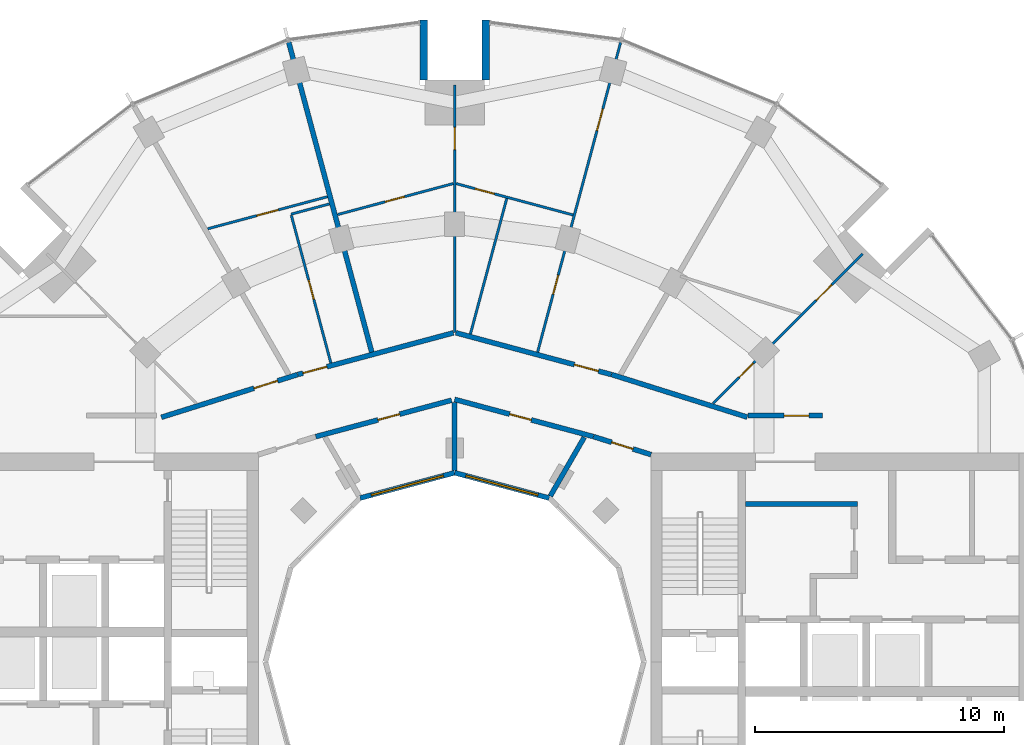
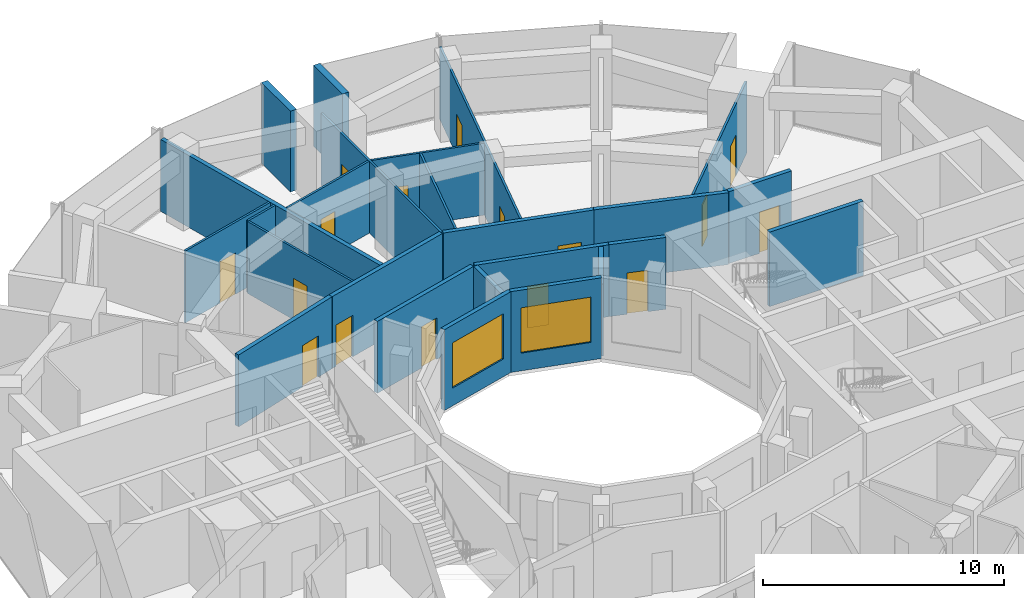
# One storey, part 12 of 15: 25 walls, 16 doors, 2 windows, 18 openings.
"""IFC4 building model written with IfcOpenShell, lengths in metres."""

from ifc_helpers import new_model, si_unit, direction, frame, frame_2d, origin, place, context, subcontext, project, spatial, rectangle, extrude, material, layer, layer_set, type_object, element, fill, save


model = new_model("IFC4")

# Units and contexts
model_context = context("Model", 3, precision=1e-05, world=origin(), true_north=direction((0.0, 1.0)))
body_context = subcontext(model_context, "Body", "Model", "MODEL_VIEW")
ifc_project = project(units=[si_unit("LENGTHUNIT", "METRE"), si_unit("AREAUNIT", "SQUARE_METRE"), si_unit("VOLUMEUNIT", "CUBIC_METRE"), si_unit("PLANEANGLEUNIT", "RADIAN"), si_unit("MASSUNIT", "GRAM", prefix="KILO")], contexts=[model_context])

# Site, building, storey
site_placement = place(None, origin())
site = spatial("IfcSite", under=ifc_project, at=site_placement, CompositionType="ELEMENT")
building_placement = place(site_placement, origin())
building = spatial("IfcBuilding", under=site, at=building_placement, Name="Torre Brocal", CompositionType="ELEMENT")
storey_placement = place(building_placement, frame((0.0, 0.0, 182.300048828125)))
storey = spatial("IfcBuildingStorey", under=building, at=storey_placement, Name="L42", CompositionType="ELEMENT", Elevation=182.300048828125)

# Walls
ifc_material_1 = material(Name="Concrete C70", Category="concrete")
ifc_layer_1 = layer(ifc_material_1, 0.199951171875)
ifc_layer_set_1 = layer_set([ifc_layer_1], Name="Concrete C70")
wall_type_1 = type_object("IfcWallType", Name="CORE WALL 200 C70", PredefinedType="SHEAR", material=ifc_layer_set_1)
wall_1_placement = place(storey_placement, frame((91.699951171875, 81.35009765625, 0.0), z_axis=(0.0, 0.0, 1.0), x_axis=(1.0, 0.0, 0.0)))
element("IfcWall", 1, at=wall_1_placement, inside=storey, type_object=wall_type_1, Name="Wall CW200-70", PredefinedType="SHEAR", context=body_context, shape_type="SweptSolid", body=[
    extrude(rectangle(XDim=4.5, YDim=0.199951171875, at=frame_2d((2.25, 0.0))), origin(), (0.0, 0.0, 1.0), 3.780029296875),
])
ifc_material_2 = material(Name="Concrete C70", Category="concrete")
ifc_layer_2 = layer(ifc_material_2, 0.300048828125)
ifc_layer_set_2 = layer_set([ifc_layer_2], Name="Concrete C70")
wall_type_2 = type_object("IfcWallType", Name="NOTCH RETURN WALL 300 C70", PredefinedType="NOTDEFINED", material=ifc_layer_set_2)
for number, where, z_axis, x_axis, name in (
    (2, (81.25, 98.39990234375, 0.0), (0.0, 0.0, 1.0), (0.0, 1.0, 0.0), "NOTCH RETURN WALL"),
    (3, (78.75, 98.39990234375, 0.0), (0.0, 0.0, 1.0), (0.0, 1.0, 0.0), "NOTCH RETURN WALL"),
):
    element("IfcWall", number, at=place(storey_placement, frame(where, z_axis=z_axis, x_axis=x_axis)), inside=storey, type_object=wall_type_2, Name=name, PredefinedType="NOTDEFINED", context=body_context, shape_type="SweptSolid", body=[
        extrude(rectangle(XDim=2.415771484375, YDim=0.300048828125, at=frame_2d((1.2080078125, 0.0))), origin(), (0.0, 0.0, 1.0), 4.099853515625),
    ])

# Wall, opening, door
ifc_material_3 = material(Name="Gypsum board", Category="Gypsum")
ifc_layer_3 = layer(ifc_material_3, 0.10009765625)
ifc_layer_set_3 = layer_set([ifc_layer_3], Name="Gypsum board")
wall_type_3 = type_object("IfcWallType", Name="PARTITION 100", PredefinedType="PARTITIONING", material=ifc_layer_set_3)
wall_2_placement = place(storey_placement, frame((70.0673828125, 92.41748046875, 0.0), z_axis=(0.0, 0.0, 1.0), x_axis=(0.965982566978, 0.258607193045, 0.0)))
wall_2 = element("IfcWall", 4, at=wall_2_placement, inside=storey, type_object=wall_type_3, Name="ROOM PARTITION", PredefinedType="PARTITIONING", context=body_context, shape_type="SweptSolid", body=[
    extrude(rectangle(XDim=4.986572265625, YDim=0.10009765625, at=frame_2d((2.4931640625, 0.0))), origin(), (0.0, 0.0, 1.0), 3.64990234375),
])
opening_1_placement = place(wall_2_placement, frame((2.038330078125, 0.0, 0.0)))
opening_1 = element("IfcOpeningElement", 5, at=opening_1_placement, cuts=wall_2, Name="Opening R03-D10", PredefinedType="OPENING", context=body_context, shape_type="SweptSolid", body=[
    extrude(rectangle(XDim=0.89990234375, YDim=2.10009765625, at=frame_2d((0.449951171875, 1.050048828125))), frame((0.0, 0.06005859375, 0.0), z_axis=(0.0, -1.0, 0.0), x_axis=(1.0, 0.0, 0.0)), (0.0, 0.0, 1.0), 0.1201171875),
])
ifc_material_4 = material(Name="Timber", Category="wood")
door_type_1 = type_object("IfcDoorType", Name="ROOM DOOR 900X2100", OperationType="SINGLE_SWING_LEFT", PredefinedType="DOOR", material=ifc_material_4)
door_1_placement = place(opening_1_placement, frame((0.89990234375, 0.0, 0.0), z_axis=(0.0, 0.0, 1.0), x_axis=(-1.0, 0.0, 0.0)))
door_1 = element("IfcDoor", 6, at=door_1_placement, inside=storey, type_object=door_type_1, Name="R03-D10", OperationType="SINGLE_SWING_LEFT", OverallHeight=2.10009765625, OverallWidth=0.89990234375, PredefinedType="DOOR", context=body_context, shape_type="SweptSolid", body=[
    extrude(rectangle(XDim=0.89990234375, YDim=2.10009765625, at=frame_2d((0.449951171875, 1.050048828125))), frame((0.0, 0.02490234375, 0.0), z_axis=(0.0, -1.0, 0.0), x_axis=(1.0, 0.0, 0.0)), (0.0, 0.0, 1.0), 0.050048828125),
])
fill(opening_1, door_1)

wall_3_placement = place(storey_placement, frame((73.429931640625, 92.955810546875, 0.0), z_axis=(0.0, 0.0, 1.0), x_axis=(0.258707643808, -0.965955669291, 0.0)))
wall_3 = element("IfcWall", 7, at=wall_3_placement, inside=storey, type_object=wall_type_3, Name="BATHROOM WALL", PredefinedType="PARTITIONING", context=body_context, shape_type="SweptSolid", body=[
    extrude(rectangle(XDim=6.150146484375, YDim=0.10009765625, at=frame_2d((3.0751953125, 0.0))), origin(), (0.0, 0.0, 1.0), 3.64990234375),
])
opening_2_placement = place(wall_3_placement, frame((2.7001953125, 0.0, 0.0)))
opening_2 = element("IfcOpeningElement", 8, at=opening_2_placement, cuts=wall_3, Name="Opening R03-D12", PredefinedType="OPENING", context=body_context, shape_type="SweptSolid", body=[
    extrude(rectangle(XDim=0.800048828125, YDim=2.10009765625, at=frame_2d((0.39990234375, 1.050048828125))), frame((0.0, 0.06005859375, 0.0), z_axis=(0.0, -1.0, 0.0), x_axis=(1.0, 0.0, 0.0)), (0.0, 0.0, 1.0), 0.1201171875),
])
ifc_material_5 = material(Name="Timber", Category="wood")
door_type_2 = type_object("IfcDoorType", Name="BATHROOM DOOR 800X2100", OperationType="SINGLE_SWING_LEFT", PredefinedType="DOOR", material=ifc_material_5)
door_2_placement = place(opening_2_placement, origin())
door_2 = element("IfcDoor", 9, at=door_2_placement, inside=storey, type_object=door_type_2, Name="R03-D12", OperationType="SINGLE_SWING_LEFT", OverallHeight=2.10009765625, OverallWidth=0.800048828125, PredefinedType="DOOR", context=body_context, shape_type="SweptSolid", body=[
    extrude(rectangle(XDim=0.800048828125, YDim=2.10009765625, at=frame_2d((0.39990234375, 1.050048828125))), frame((0.0, 0.02490234375, 0.0), z_axis=(0.0, -1.0, 0.0), x_axis=(1.0, 0.0, 0.0)), (0.0, 0.0, 1.0), 0.050048828125),
])
fill(opening_2, door_2)

# Wall
wall_4_placement = place(storey_placement, frame((73.4169921875, 93.00390625, 0.0), z_axis=(0.0, 0.0, 1.0), x_axis=(0.966062421459, 0.258308725839, 0.0)))
element("IfcWall", 10, at=wall_4_placement, inside=storey, type_object=wall_type_3, Name="BATHROOM WALL", PredefinedType="PARTITIONING", context=body_context, shape_type="SweptSolid", body=[
    extrude(rectangle(XDim=1.59912109375, YDim=0.10009765625, at=frame_2d((0.799560546875, 0.0))), origin(), (0.0, 0.0, 1.0), 3.64990234375),
])

# Wall, opening, door
wall_5_placement = place(storey_placement, frame((75.294677734375, 92.988525390625, 0.0), z_axis=(0.0, 0.0, 1.0), x_axis=(0.965829517501, 0.259178207271, 0.0)))
wall_5 = element("IfcWall", 11, at=wall_5_placement, inside=storey, type_object=wall_type_3, Name="BATHROOM WALL", PredefinedType="PARTITIONING", context=body_context, shape_type="SweptSolid", body=[
    extrude(rectangle(XDim=4.8115234375, YDim=0.10009765625, at=frame_2d((2.40576171875, 0.0))), origin(), (0.0, 0.0, 1.0), 3.64990234375),
])
opening_3_placement = place(wall_5_placement, frame((1.980712890625, 0.0, 0.0)))
opening_3 = element("IfcOpeningElement", 12, at=opening_3_placement, cuts=wall_5, Name="Opening R03-D09", PredefinedType="OPENING", context=body_context, shape_type="SweptSolid", body=[
    extrude(rectangle(XDim=0.800048828125, YDim=2.10009765625, at=frame_2d((0.39990234375, 1.050048828125))), frame((0.0, 0.06005859375, 0.0), z_axis=(0.0, -1.0, 0.0), x_axis=(1.0, 0.0, 0.0)), (0.0, 0.0, 1.0), 0.1201171875),
])
door_3_placement = place(opening_3_placement, frame((0.800048828125, 0.0, 0.0), z_axis=(0.0, 0.0, 1.0), x_axis=(-1.0, 0.0, 0.0)))
door_3 = element("IfcDoor", 13, at=door_3_placement, inside=storey, type_object=door_type_2, Name="R03-D09", OperationType="SINGLE_SWING_LEFT", OverallHeight=2.10009765625, OverallWidth=0.800048828125, PredefinedType="DOOR", context=body_context, shape_type="SweptSolid", body=[
    extrude(rectangle(XDim=0.800048828125, YDim=2.10009765625, at=frame_2d((0.39990234375, 1.050048828125))), frame((0.0, 0.02490234375, 0.0), z_axis=(0.0, -1.0, 0.0), x_axis=(1.0, 0.0, 0.0)), (0.0, 0.0, 1.0), 0.050048828125),
])
fill(opening_3, door_3)

wall_6_placement = place(storey_placement, frame((80.0, 88.24609375, 0.0), z_axis=(0.0, 0.0, 1.0), x_axis=(0.0, 1.0, 0.0)))
wall_6 = element("IfcWall", 14, at=wall_6_placement, inside=storey, type_object=wall_type_3, Name="BATHROOM WALL", PredefinedType="PARTITIONING", context=body_context, shape_type="SweptSolid", body=[
    extrude(rectangle(XDim=9.953857421875, YDim=0.10009765625, at=frame_2d((4.97705078125, 0.0))), origin(), (0.0, 0.0, 1.0), 3.64990234375),
])
opening_4_placement = place(wall_6_placement, frame((7.3544921875, 0.0, 0.0)))
opening_4 = element("IfcOpeningElement", 15, at=opening_4_placement, cuts=wall_6, Name="Opening R03-D08", PredefinedType="OPENING", context=body_context, shape_type="SweptSolid", body=[
    extrude(rectangle(XDim=0.89990234375, YDim=2.10009765625, at=frame_2d((0.449951171875, 1.050048828125))), frame((0.0, 0.06005859375, 0.0), z_axis=(0.0, -1.0, 0.0), x_axis=(1.0, 0.0, 0.0)), (0.0, 0.0, 1.0), 0.1201171875),
])
door_4_placement = place(opening_4_placement, origin())
door_4 = element("IfcDoor", 16, at=door_4_placement, inside=storey, type_object=door_type_1, Name="R03-D08", OperationType="SINGLE_SWING_LEFT", OverallHeight=2.10009765625, OverallWidth=0.89990234375, PredefinedType="DOOR", context=body_context, shape_type="SweptSolid", body=[
    extrude(rectangle(XDim=0.89990234375, YDim=2.10009765625, at=frame_2d((0.449951171875, 1.050048828125))), frame((0.0, 0.02490234375, 0.0), z_axis=(0.0, -1.0, 0.0), x_axis=(1.0, 0.0, 0.0)), (0.0, 0.0, 1.0), 0.050048828125),
])
fill(opening_4, door_4)

wall_7_placement = place(storey_placement, frame((80.057861328125, 94.2353515625, 0.0), z_axis=(0.0, 0.0, 1.0), x_axis=(0.965831212389, -0.259171891173, 0.0)))
wall_7 = element("IfcWall", 17, at=wall_7_placement, inside=storey, type_object=wall_type_3, Name="BATHROOM WALL", PredefinedType="PARTITIONING", context=body_context, shape_type="SweptSolid", body=[
    extrude(rectangle(XDim=4.8720703125, YDim=0.10009765625, at=frame_2d((2.43603515625, 0.0))), origin(), (0.0, 0.0, 1.0), 3.64990234375),
])
opening_5_placement = place(wall_7_placement, frame((0.79150390625, 0.0, 0.0)))
opening_5 = element("IfcOpeningElement", 18, at=opening_5_placement, cuts=wall_7, Name="Opening R03-D06", PredefinedType="OPENING", context=body_context, shape_type="SweptSolid", body=[
    extrude(rectangle(XDim=0.800048828125, YDim=2.10009765625, at=frame_2d((0.39990234375, 1.050048828125))), frame((0.0, 0.06005859375, 0.0), z_axis=(0.0, -1.0, 0.0), x_axis=(1.0, 0.0, 0.0)), (0.0, 0.0, 1.0), 0.1201171875),
])
door_5_placement = place(opening_5_placement, frame((0.800048828125, 0.0, 0.0), z_axis=(0.0, 0.0, 1.0), x_axis=(-1.0, 0.0, 0.0)))
door_5 = element("IfcDoor", 19, at=door_5_placement, inside=storey, type_object=door_type_2, Name="R03-D06", OperationType="SINGLE_SWING_LEFT", OverallHeight=2.10009765625, OverallWidth=0.800048828125, PredefinedType="DOOR", context=body_context, shape_type="SweptSolid", body=[
    extrude(rectangle(XDim=0.800048828125, YDim=2.10009765625, at=frame_2d((0.39990234375, 1.050048828125))), frame((0.0, 0.02490234375, 0.0), z_axis=(0.0, -1.0, 0.0), x_axis=(1.0, 0.0, 0.0)), (0.0, 0.0, 1.0), 0.050048828125),
])
fill(opening_5, door_5)

# Wall
wall_8_placement = place(storey_placement, frame((80.633056640625, 88.179931640625, 0.0), z_axis=(0.0, 0.0, 1.0), x_axis=(0.25898304477, 0.965881867788, 0.0)))
element("IfcWall", 20, at=wall_8_placement, inside=storey, type_object=wall_type_3, Name="BATHROOM WALL", PredefinedType="PARTITIONING", context=body_context, shape_type="SweptSolid", body=[
    extrude(rectangle(XDim=5.649658203125, YDim=0.10009765625, at=frame_2d((2.82470703125, 0.0))), origin(), (0.0, 0.0, 1.0), 3.64990234375),
])

# Wall, openings, doors
wall_9_placement = place(storey_placement, frame((83.3369140625, 87.455078125, 0.0), z_axis=(0.0, 0.0, 1.0), x_axis=(0.258861232071, 0.965914521337, 0.0)))
wall_9 = element("IfcWall", 21, at=wall_9_placement, inside=storey, type_object=wall_type_3, Name="BATHROOM WALL", PredefinedType="PARTITIONING", context=body_context, shape_type="SweptSolid", body=[
    extrude(rectangle(XDim=12.904052734375, YDim=0.10009765625, at=frame_2d((6.4521484375, 0.0))), origin(), (0.0, 0.0, 1.0), 3.64990234375),
])
opening_6_placement = place(wall_9_placement, frame((9.2265625, 0.0, 0.0)))
opening_6 = element("IfcOpeningElement", 22, at=opening_6_placement, cuts=wall_9, Name="Opening R03-D05", PredefinedType="OPENING", context=body_context, shape_type="SweptSolid", body=[
    extrude(rectangle(XDim=0.89990234375, YDim=2.10009765625, at=frame_2d((0.449951171875, 1.050048828125))), frame((0.0, 0.06005859375, 0.0), z_axis=(0.0, -1.0, 0.0), x_axis=(1.0, 0.0, 0.0)), (0.0, 0.0, 1.0), 0.1201171875),
])
opening_7_placement = place(wall_9_placement, frame((2.4091796875, 0.0, 0.0)))
opening_7 = element("IfcOpeningElement", 23, at=opening_7_placement, cuts=wall_9, Name="Opening R03-D07", PredefinedType="OPENING", context=body_context, shape_type="SweptSolid", body=[
    extrude(rectangle(XDim=0.800048828125, YDim=2.10009765625, at=frame_2d((0.39990234375, 1.050048828125))), frame((0.0, 0.06005859375, 0.0), z_axis=(0.0, -1.0, 0.0), x_axis=(1.0, 0.0, 0.0)), (0.0, 0.0, 1.0), 0.1201171875),
])
door_6_placement = place(opening_7_placement, origin())
door_6 = element("IfcDoor", 24, at=door_6_placement, inside=storey, type_object=door_type_2, Name="R03-D07", OperationType="SINGLE_SWING_RIGHT", OverallHeight=2.10009765625, OverallWidth=0.800048828125, PredefinedType="DOOR", context=body_context, shape_type="SweptSolid", body=[
    extrude(rectangle(XDim=0.800048828125, YDim=2.10009765625, at=frame_2d((0.39990234375, 1.050048828125))), frame((0.0, 0.02490234375, 0.0), z_axis=(0.0, -1.0, 0.0), x_axis=(1.0, 0.0, 0.0)), (0.0, 0.0, 1.0), 0.050048828125),
])
fill(opening_7, door_6)
door_7_placement = place(opening_6_placement, frame((0.89990234375, 0.0, 0.0), z_axis=(0.0, 0.0, 1.0), x_axis=(-1.0, 0.0, 0.0)))
door_7 = element("IfcDoor", 25, at=door_7_placement, inside=storey, type_object=door_type_1, Name="R03-D05", OperationType="SINGLE_SWING_LEFT", OverallHeight=2.10009765625, OverallWidth=0.89990234375, PredefinedType="DOOR", context=body_context, shape_type="SweptSolid", body=[
    extrude(rectangle(XDim=0.89990234375, YDim=2.10009765625, at=frame_2d((0.449951171875, 1.050048828125))), frame((0.0, 0.02490234375, 0.0), z_axis=(0.0, -1.0, 0.0), x_axis=(1.0, 0.0, 0.0)), (0.0, 0.0, 1.0), 0.050048828125),
])
fill(opening_6, door_7)

wall_10_placement = place(storey_placement, frame((90.39697265625, 85.392822265625, 0.0), z_axis=(0.0, 0.0, 1.0), x_axis=(0.707264750546, 0.706948776529, 0.0)))
wall_10 = element("IfcWall", 26, at=wall_10_placement, inside=storey, type_object=wall_type_3, Name="BATHROOM WALL", PredefinedType="PARTITIONING", context=body_context, shape_type="SweptSolid", body=[
    extrude(rectangle(XDim=8.499267578125, YDim=0.10009765625, at=frame_2d((4.24951171875, 0.0))), origin(), (0.0, 0.0, 1.0), 3.64990234375),
])
opening_8_placement = place(wall_10_placement, frame((5.856689453125, 0.0, 0.0)))
opening_8 = element("IfcOpeningElement", 27, at=opening_8_placement, cuts=wall_10, Name="Opening R03-D02", PredefinedType="OPENING", context=body_context, shape_type="SweptSolid", body=[
    extrude(rectangle(XDim=0.89990234375, YDim=2.10009765625, at=frame_2d((0.449951171875, 1.050048828125))), frame((0.0, 0.06005859375, 0.0), z_axis=(0.0, -1.0, 0.0), x_axis=(1.0, 0.0, 0.0)), (0.0, 0.0, 1.0), 0.1201171875),
])
opening_9_placement = place(wall_10_placement, frame((1.4755859375, 0.0, 0.0)))
opening_9 = element("IfcOpeningElement", 28, at=opening_9_placement, cuts=wall_10, Name="Opening R03-D03", PredefinedType="OPENING", context=body_context, shape_type="SweptSolid", body=[
    extrude(rectangle(XDim=0.800048828125, YDim=2.10009765625, at=frame_2d((0.39990234375, 1.050048828125))), frame((0.0, 0.06005859375, 0.0), z_axis=(0.0, -1.0, 0.0), x_axis=(1.0, 0.0, 0.0)), (0.0, 0.0, 1.0), 0.1201171875),
])
door_8_placement = place(opening_9_placement, origin())
door_8 = element("IfcDoor", 29, at=door_8_placement, inside=storey, type_object=door_type_2, Name="R03-D03", OperationType="SINGLE_SWING_LEFT", OverallHeight=2.10009765625, OverallWidth=0.800048828125, PredefinedType="DOOR", context=body_context, shape_type="SweptSolid", body=[
    extrude(rectangle(XDim=0.800048828125, YDim=2.10009765625, at=frame_2d((0.39990234375, 1.050048828125))), frame((0.0, 0.02490234375, 0.0), z_axis=(0.0, -1.0, 0.0), x_axis=(1.0, 0.0, 0.0)), (0.0, 0.0, 1.0), 0.050048828125),
])
fill(opening_9, door_8)
door_9_placement = place(opening_8_placement, frame((0.89990234375, 0.0, 0.0), z_axis=(0.0, 0.0, 1.0), x_axis=(-1.0, 0.0, 0.0)))
door_9 = element("IfcDoor", 30, at=door_9_placement, inside=storey, type_object=door_type_1, Name="R03-D02", OperationType="SINGLE_SWING_LEFT", OverallHeight=2.10009765625, OverallWidth=0.89990234375, PredefinedType="DOOR", context=body_context, shape_type="SweptSolid", body=[
    extrude(rectangle(XDim=0.89990234375, YDim=2.10009765625, at=frame_2d((0.449951171875, 1.050048828125))), frame((0.0, 0.02490234375, 0.0), z_axis=(0.0, -1.0, 0.0), x_axis=(1.0, 0.0, 0.0)), (0.0, 0.0, 1.0), 0.050048828125),
])
fill(opening_8, door_9)

# Wall, opening, door
ifc_material_6 = material(Name="Gypsum board", Category="Gypsum")
ifc_layer_4 = layer(ifc_material_6, 0.199951171875)
ifc_layer_set_4 = layer_set([ifc_layer_4], Name="Gypsum board")
wall_type_4 = type_object("IfcWallType", Name="PARTITION 200 EI60", PredefinedType="PARTITIONING", material=ifc_layer_set_4)
wall_11_placement = place(storey_placement, frame((68.199951171875, 84.83349609375, 0.0), z_axis=(0.0, 0.0, 1.0), x_axis=(0.954204109499, 0.299156342762, 0.0)))
wall_11 = element("IfcWall", 31, at=wall_11_placement, inside=storey, type_object=wall_type_4, Name="FLAT ENTRANCE WALL", PredefinedType="PARTITIONING", context=body_context, shape_type="SweptSolid", body=[
    extrude(rectangle(XDim=5.740478515625, YDim=0.199951171875, at=frame_2d((2.8701171875, 0.0))), origin(), (0.0, 0.0, 1.0), 3.64990234375),
])
opening_10_placement = place(wall_11_placement, frame((3.90283203125, 0.0, 0.0)))
opening_10 = element("IfcOpeningElement", 32, at=opening_10_placement, cuts=wall_11, Name="Opening R03-D13", PredefinedType="OPENING", context=body_context, shape_type="SweptSolid", body=[
    extrude(rectangle(XDim=1.0, YDim=2.10009765625, at=frame_2d((0.5, 1.050048828125))), frame((0.0, 0.10986328125, 0.0), z_axis=(0.0, -1.0, 0.0), x_axis=(1.0, 0.0, 0.0)), (0.0, 0.0, 1.0), 0.219970703125),
])
ifc_material_7 = material(Name="Timber", Category="wood")
door_type_3 = type_object("IfcDoorType", Name="FLAT ENTRY DOOR FD30S 1000X2100", OperationType="SINGLE_SWING_RIGHT", PredefinedType="DOOR", material=ifc_material_7)
door_10_placement = place(opening_10_placement, origin())
door_10 = element("IfcDoor", 33, at=door_10_placement, inside=storey, type_object=door_type_3, Name="R03-D13", OperationType="SINGLE_SWING_RIGHT", OverallHeight=2.10009765625, OverallWidth=1.0, PredefinedType="DOOR", context=body_context, shape_type="SweptSolid", body=[
    extrude(rectangle(XDim=1.0, YDim=2.10009765625, at=frame_2d((0.5, 1.050048828125))), frame((0.0, 0.02490234375, 0.0), z_axis=(0.0, -1.0, 0.0), x_axis=(1.0, 0.0, 0.0)), (0.0, 0.0, 1.0), 0.050048828125),
])
fill(opening_10, door_10)

# Wall
wall_12_placement = place(storey_placement, frame((73.326171875, 99.920166015625, 0.0), z_axis=(0.0, 0.0, 1.0), x_axis=(0.258652861824, -0.965970339643, 0.0)))
element("IfcWall", 34, at=wall_12_placement, inside=storey, type_object=wall_type_4, Name="BATHROOM WALL", PredefinedType="PARTITIONING", context=body_context, shape_type="SweptSolid", body=[
    extrude(rectangle(XDim=12.904052734375, YDim=0.199951171875, at=frame_2d((6.4521484375, 0.0))), origin(), (0.0, 0.0, 1.0), 3.64990234375),
])

# Wall, opening, door
wall_13_placement = place(storey_placement, frame((73.68701171875, 86.55419921875, 0.0), z_axis=(0.0, 0.0, 1.0), x_axis=(0.965992724769, 0.258569247387, 0.0)))
wall_13 = element("IfcWall", 35, at=wall_13_placement, inside=storey, type_object=wall_type_4, Name="FLAT ENTRANCE WALL", PredefinedType="PARTITIONING", context=body_context, shape_type="SweptSolid", body=[
    extrude(rectangle(XDim=6.485595703125, YDim=0.199951171875, at=frame_2d((3.24267578125, 0.0))), origin(), (0.0, 0.0, 1.0), 3.64990234375),
])
opening_11_placement = place(wall_13_placement, frame((0.2138671875, 0.0, 0.0)))
opening_11 = element("IfcOpeningElement", 36, at=opening_11_placement, cuts=wall_13, Name="Opening R03-D11", PredefinedType="OPENING", context=body_context, shape_type="SweptSolid", body=[
    extrude(rectangle(XDim=1.0, YDim=2.10009765625, at=frame_2d((0.5, 1.050048828125))), frame((0.0, 0.10986328125, 0.0), z_axis=(0.0, -1.0, 0.0), x_axis=(1.0, 0.0, 0.0)), (0.0, 0.0, 1.0), 0.219970703125),
])
door_11_placement = place(opening_11_placement, origin())
door_11 = element("IfcDoor", 37, at=door_11_placement, inside=storey, type_object=door_type_3, Name="R03-D11", OperationType="SINGLE_SWING_RIGHT", OverallHeight=2.10009765625, OverallWidth=1.0, PredefinedType="DOOR", context=body_context, shape_type="SweptSolid", body=[
    extrude(rectangle(XDim=1.0, YDim=2.10009765625, at=frame_2d((0.5, 1.050048828125))), frame((0.0, 0.02490234375, 0.0), z_axis=(0.0, -1.0, 0.0), x_axis=(1.0, 0.0, 0.0)), (0.0, 0.0, 1.0), 0.050048828125),
])
fill(opening_11, door_11)

wall_14_placement = place(storey_placement, frame((74.4130859375, 84.056884765625, 0.0), z_axis=(0.0, 0.0, 1.0), x_axis=(0.965972135939, 0.258646153246, 0.0)))
wall_14 = element("IfcWall", 38, at=wall_14_placement, inside=storey, type_object=wall_type_4, Name="CORRIDOR WALL", PredefinedType="PARTITIONING", context=body_context, shape_type="SweptSolid", body=[
    extrude(rectangle(XDim=5.654052734375, YDim=0.199951171875, at=frame_2d((2.8271484375, 0.0))), origin(), (0.0, 0.0, 1.0), 3.64990234375),
])
opening_12_placement = place(wall_14_placement, frame((2.5927734375, 0.0, 0.0)))
opening_12 = element("IfcOpeningElement", 39, at=opening_12_placement, cuts=wall_14, Name="Opening R03-D19", PredefinedType="OPENING", context=body_context, shape_type="SweptSolid", body=[
    extrude(rectangle(XDim=0.89990234375, YDim=2.10009765625, at=frame_2d((0.449951171875, 1.050048828125))), frame((0.0, 0.10986328125, 0.0), z_axis=(0.0, -1.0, 0.0), x_axis=(1.0, 0.0, 0.0)), (0.0, 0.0, 1.0), 0.219970703125),
])
door_12_placement = place(opening_12_placement, frame((0.89990234375, 0.0, 0.0), z_axis=(0.0, 0.0, 1.0), x_axis=(-1.0, 0.0, 0.0)))
door_12 = element("IfcDoor", 40, at=door_12_placement, inside=storey, type_object=door_type_1, Name="R03-D19", OperationType="SINGLE_SWING_RIGHT", OverallHeight=2.10009765625, OverallWidth=0.89990234375, PredefinedType="DOOR", context=body_context, shape_type="SweptSolid", body=[
    extrude(rectangle(XDim=0.89990234375, YDim=2.10009765625, at=frame_2d((0.449951171875, 1.050048828125))), frame((0.0, 0.02490234375, 0.0), z_axis=(0.0, -1.0, 0.0), x_axis=(1.0, 0.0, 0.0)), (0.0, 0.0, 1.0), 0.050048828125),
])
fill(opening_12, door_12)

# Wall
wall_15_placement = place(storey_placement, frame((80.0, 82.698974609375, 0.0), z_axis=(0.0, 0.0, 1.0), x_axis=(0.0, 1.0, 0.0)))
element("IfcWall", 41, at=wall_15_placement, inside=storey, type_object=wall_type_4, Name="SERVICE ROOM WALL", PredefinedType="PARTITIONING", context=body_context, shape_type="SweptSolid", body=[
    extrude(rectangle(XDim=2.72509765625, YDim=0.199951171875, at=frame_2d((1.362548828125, 0.0))), origin(), (0.0, 0.0, 1.0), 3.64990234375),
])

# Wall, opening, door
wall_16_placement = place(storey_placement, frame((80.0, 85.553955078125, 0.0), z_axis=(0.0, 0.0, 1.0), x_axis=(0.965928989968, -0.258807237802, 0.0)))
wall_16 = element("IfcWall", 42, at=wall_16_placement, inside=storey, type_object=wall_type_4, Name="CORRIDOR WALL", PredefinedType="PARTITIONING", context=body_context, shape_type="SweptSolid", body=[
    extrude(rectangle(XDim=5.774169921875, YDim=0.199951171875, at=frame_2d((2.88720703125, 0.0))), origin(), (0.0, 0.0, 1.0), 3.64990234375),
])
opening_13_placement = place(wall_16_placement, frame((2.29150390625, 0.0, 0.0)))
opening_13 = element("IfcOpeningElement", 43, at=opening_13_placement, cuts=wall_16, Name="Opening R03-D18", PredefinedType="OPENING", context=body_context, shape_type="SweptSolid", body=[
    extrude(rectangle(XDim=0.89990234375, YDim=2.10009765625, at=frame_2d((0.449951171875, 1.050048828125))), frame((0.0, 0.10986328125, 0.0), z_axis=(0.0, -1.0, 0.0), x_axis=(1.0, 0.0, 0.0)), (0.0, 0.0, 1.0), 0.219970703125),
])
door_13_placement = place(opening_13_placement, frame((0.89990234375, 0.0, 0.0), z_axis=(0.0, 0.0, 1.0), x_axis=(-1.0, 0.0, 0.0)))
door_13 = element("IfcDoor", 44, at=door_13_placement, inside=storey, type_object=door_type_1, Name="R03-D18", OperationType="SINGLE_SWING_LEFT", OverallHeight=2.10009765625, OverallWidth=0.89990234375, PredefinedType="DOOR", context=body_context, shape_type="SweptSolid", body=[
    extrude(rectangle(XDim=0.89990234375, YDim=2.10009765625, at=frame_2d((0.449951171875, 1.050048828125))), frame((0.0, 0.02490234375, 0.0), z_axis=(0.0, -1.0, 0.0), x_axis=(1.0, 0.0, 0.0)), (0.0, 0.0, 1.0), 0.050048828125),
])
fill(opening_13, door_13)

wall_17_placement = place(storey_placement, frame((80.04833984375, 88.2333984375, 0.0), z_axis=(0.0, 0.0, 1.0), x_axis=(0.965787353661, -0.259335280109, 0.0)))
wall_17 = element("IfcWall", 45, at=wall_17_placement, inside=storey, type_object=wall_type_4, Name="FLAT ENTRANCE WALL", PredefinedType="PARTITIONING", context=body_context, shape_type="SweptSolid", body=[
    extrude(rectangle(XDim=6.47607421875, YDim=0.199951171875, at=frame_2d((3.238037109375, 0.0))), origin(), (0.0, 0.0, 1.0), 3.64990234375),
])
opening_14_placement = place(wall_17_placement, frame((4.935791015625, 0.0, 0.0)))
opening_14 = element("IfcOpeningElement", 46, at=opening_14_placement, cuts=wall_17, Name="Opening R03-D04", PredefinedType="OPENING", context=body_context, shape_type="SweptSolid", body=[
    extrude(rectangle(XDim=1.0, YDim=2.10009765625, at=frame_2d((0.5, 1.050048828125))), frame((0.0, 0.10986328125, 0.0), z_axis=(0.0, -1.0, 0.0), x_axis=(1.0, 0.0, 0.0)), (0.0, 0.0, 1.0), 0.219970703125),
])
door_14_placement = place(opening_14_placement, origin())
door_14 = element("IfcDoor", 47, at=door_14_placement, inside=storey, type_object=door_type_3, Name="R03-D04", OperationType="SINGLE_SWING_RIGHT", OverallHeight=2.10009765625, OverallWidth=1.0, PredefinedType="DOOR", context=body_context, shape_type="SweptSolid", body=[
    extrude(rectangle(XDim=1.0, YDim=2.10009765625, at=frame_2d((0.5, 1.050048828125))), frame((0.0, 0.02490234375, 0.0), z_axis=(0.0, -1.0, 0.0), x_axis=(1.0, 0.0, 0.0)), (0.0, 0.0, 1.0), 0.050048828125),
])
fill(opening_14, door_14)

# Wall
wall_18_placement = place(storey_placement, frame((83.848876953125, 81.667236328125, 0.0), z_axis=(0.0, 0.0, 1.0), x_axis=(0.500117899823, 0.865957323588, 0.0)))
element("IfcWall", 48, at=wall_18_placement, inside=storey, type_object=wall_type_4, Name="SERVICE ROOM WALL", PredefinedType="PARTITIONING", context=body_context, shape_type="SweptSolid", body=[
    extrude(rectangle(XDim=2.725341796875, YDim=0.199951171875, at=frame_2d((1.36279296875, 0.0))), origin(), (0.0, 0.0, 1.0), 3.64990234375),
])

# Wall, opening, door
wall_19_placement = place(storey_placement, frame((85.5869140625, 84.056884765625, 0.0), z_axis=(0.0, 0.0, 1.0), x_axis=(0.954239513179, -0.299043393987, 0.0)))
wall_19 = element("IfcWall", 49, at=wall_19_placement, inside=storey, type_object=wall_type_4, Name="CORRIDOR WALL", PredefinedType="PARTITIONING", context=body_context, shape_type="SweptSolid", body=[
    extrude(rectangle(XDim=2.423828125, YDim=0.199951171875, at=frame_2d((1.2119140625, 0.0))), origin(), (0.0, 0.0, 1.0), 3.64990234375),
])
opening_15_placement = place(wall_19_placement, frame((0.761962890625, 0.0, 0.0)))
opening_15 = element("IfcOpeningElement", 50, at=opening_15_placement, cuts=wall_19, Name="Opening R03-D17", PredefinedType="OPENING", context=body_context, shape_type="SweptSolid", body=[
    extrude(rectangle(XDim=0.89990234375, YDim=2.10009765625, at=frame_2d((0.449951171875, 1.050048828125))), frame((0.0, 0.10986328125, 0.0), z_axis=(0.0, -1.0, 0.0), x_axis=(1.0, 0.0, 0.0)), (0.0, 0.0, 1.0), 0.219970703125),
])
door_15_placement = place(opening_15_placement, frame((0.89990234375, 0.0, 0.0), z_axis=(0.0, 0.0, 1.0), x_axis=(-1.0, 0.0, 0.0)))
door_15 = element("IfcDoor", 51, at=door_15_placement, inside=storey, type_object=door_type_1, Name="R03-D17", OperationType="SINGLE_SWING_LEFT", OverallHeight=2.10009765625, OverallWidth=0.89990234375, PredefinedType="DOOR", context=body_context, shape_type="SweptSolid", body=[
    extrude(rectangle(XDim=0.89990234375, YDim=2.10009765625, at=frame_2d((0.449951171875, 1.050048828125))), frame((0.0, 0.02490234375, 0.0), z_axis=(0.0, -1.0, 0.0), x_axis=(1.0, 0.0, 0.0)), (0.0, 0.0, 1.0), 0.050048828125),
])
fill(opening_15, door_15)

# Wall
wall_20_placement = place(storey_placement, frame((86.31298828125, 86.554443359375, 0.0), z_axis=(0.0, 0.0, 1.0), x_axis=(0.954081217458, -0.299548043717, 0.0)))
element("IfcWall", 52, at=wall_20_placement, inside=storey, type_object=wall_type_4, Name="FLAT ENTRANCE WALL", PredefinedType="PARTITIONING", context=body_context, shape_type="SweptSolid", body=[
    extrude(rectangle(XDim=5.720703125, YDim=0.199951171875, at=frame_2d((2.8603515625, 0.0))), origin(), (0.0, 0.0, 1.0), 3.64990234375),
])

# Wall, opening, door
wall_21_placement = place(storey_placement, frame((91.800048828125, 84.89990234375, 0.0), z_axis=(0.0, 0.0, 1.0), x_axis=(1.0, 0.0, 0.0)))
wall_21 = element("IfcWall", 53, at=wall_21_placement, inside=storey, type_object=wall_type_4, Name="FLAT ENTRANCE WALL", PredefinedType="PARTITIONING", context=body_context, shape_type="SweptSolid", body=[
    extrude(rectangle(XDim=3.0, YDim=0.199951171875, at=frame_2d((1.5, 0.0))), origin(), (0.0, 0.0, 1.0), 3.64990234375),
])
opening_16_placement = place(wall_21_placement, frame((1.449951171875, 0.0, 0.0)))
opening_16 = element("IfcOpeningElement", 54, at=opening_16_placement, cuts=wall_21, Name="Opening R03-D01", PredefinedType="OPENING", context=body_context, shape_type="SweptSolid", body=[
    extrude(rectangle(XDim=1.0, YDim=2.10009765625, at=frame_2d((0.5, 1.050048828125))), frame((0.0, 0.10986328125, 0.0), z_axis=(0.0, -1.0, 0.0), x_axis=(1.0, 0.0, 0.0)), (0.0, 0.0, 1.0), 0.219970703125),
])
door_16_placement = place(opening_16_placement, origin())
door_16 = element("IfcDoor", 55, at=door_16_placement, inside=storey, type_object=door_type_3, Name="R03-D01", OperationType="SINGLE_SWING_LEFT", OverallHeight=2.10009765625, OverallWidth=1.0, PredefinedType="DOOR", context=body_context, shape_type="SweptSolid", body=[
    extrude(rectangle(XDim=1.0, YDim=2.10009765625, at=frame_2d((0.5, 1.050048828125))), frame((0.0, 0.02490234375, 0.0), z_axis=(0.0, -1.0, 0.0), x_axis=(1.0, 0.0, 0.0)), (0.0, 0.0, 1.0), 0.050048828125),
])
fill(opening_16, door_16)

# Wall, opening, window
ifc_material_8 = material(Name="Concrete C40", Category="concrete")
ifc_layer_5 = layer(ifc_material_8, 0.199951171875)
ifc_layer_set_5 = layer_set([ifc_layer_5], Name="Concrete C40")
wall_type_5 = type_object("IfcWallType", Name="WELL FACADE WALL 200", PredefinedType="NOTDEFINED", material=ifc_layer_set_5)
wall_22_placement = place(storey_placement, frame((83.8017578125, 81.5849609375, 0.0), z_axis=(0.0, 0.0, 1.0), x_axis=(-0.965933654434, 0.258789828301, 0.0)))
wall_22 = element("IfcWall", 56, at=wall_22_placement, inside=storey, type_object=wall_type_5, Name="WELL FACADE WALL", PredefinedType="NOTDEFINED", context=body_context, shape_type="SweptSolid", body=[
    extrude(rectangle(XDim=3.935791015625, YDim=0.199951171875, at=frame_2d((1.9677734375, 0.0))), origin(), (0.0, 0.0, 1.0), 4.099853515625),
])
opening_17_placement = place(wall_22_placement, frame((0.468017578125, 0.0, 0.89990234375)))
opening_17 = element("IfcOpeningElement", 57, at=opening_17_placement, cuts=wall_22, Name="Opening W1", PredefinedType="OPENING", context=body_context, shape_type="SweptSolid", body=[
    extrude(rectangle(XDim=3.0, YDim=2.300048828125, at=frame_2d((1.5, 1.14990234375))), frame((0.0, 0.10986328125, 0.0), z_axis=(0.0, -1.0, 0.0), x_axis=(1.0, 0.0, 0.0)), (0.0, 0.0, 1.0), 0.219970703125),
])
ifc_material_9 = material(Name="Aluminium and glass", Category="aluminium")
window_type = type_object("IfcWindowType", Name="WELL WINDOW 3000X2300", PartitioningType="SINGLE_PANEL", PredefinedType="WINDOW", material=ifc_material_9)
window_1_placement = place(opening_17_placement, origin())
window_1 = element("IfcWindow", 58, at=window_1_placement, inside=storey, type_object=window_type, Name="WELL WINDOW 3000X2300", OverallHeight=2.300048828125, OverallWidth=3.0, PartitioningType="SINGLE_PANEL", PredefinedType="WINDOW", context=body_context, shape_type="SweptSolid", body=[
    extrude(rectangle(XDim=3.0, YDim=2.300048828125, at=frame_2d((1.5, 1.14990234375))), frame((0.0, 0.030029296875, 0.0), z_axis=(0.0, -1.0, 0.0), x_axis=(1.0, 0.0, 0.0)), (0.0, 0.0, 1.0), 0.06005859375),
])
fill(opening_17, window_1)

wall_23_placement = place(storey_placement, frame((80.0, 82.603515625, 0.0), z_axis=(0.0, 0.0, 1.0), x_axis=(-0.965933654434, -0.258789828301, 0.0)))
wall_23 = element("IfcWall", 59, at=wall_23_placement, inside=storey, type_object=wall_type_5, Name="WELL FACADE WALL", PredefinedType="NOTDEFINED", context=body_context, shape_type="SweptSolid", body=[
    extrude(rectangle(XDim=3.935791015625, YDim=0.199951171875, at=frame_2d((1.9677734375, 0.0))), origin(), (0.0, 0.0, 1.0), 4.099853515625),
])
opening_18_placement = place(wall_23_placement, frame((0.468017578125, 0.0, 0.89990234375)))
opening_18 = element("IfcOpeningElement", 60, at=opening_18_placement, cuts=wall_23, Name="Opening W1", PredefinedType="OPENING", context=body_context, shape_type="SweptSolid", body=[
    extrude(rectangle(XDim=3.0, YDim=2.300048828125, at=frame_2d((1.5, 1.14990234375))), frame((0.0, 0.10986328125, 0.0), z_axis=(0.0, -1.0, 0.0), x_axis=(1.0, 0.0, 0.0)), (0.0, 0.0, 1.0), 0.219970703125),
])
window_2_placement = place(opening_18_placement, origin())
window_2 = element("IfcWindow", 61, at=window_2_placement, inside=storey, type_object=window_type, Name="WELL WINDOW 3000X2300", OverallHeight=2.300048828125, OverallWidth=3.0, PartitioningType="SINGLE_PANEL", PredefinedType="WINDOW", context=body_context, shape_type="SweptSolid", body=[
    extrude(rectangle(XDim=3.0, YDim=2.300048828125, at=frame_2d((1.5, 1.14990234375))), frame((0.0, 0.030029296875, 0.0), z_axis=(0.0, -1.0, 0.0), x_axis=(1.0, 0.0, 0.0)), (0.0, 0.0, 1.0), 0.06005859375),
])
fill(opening_18, window_2)

save(model, "model.ifc")
